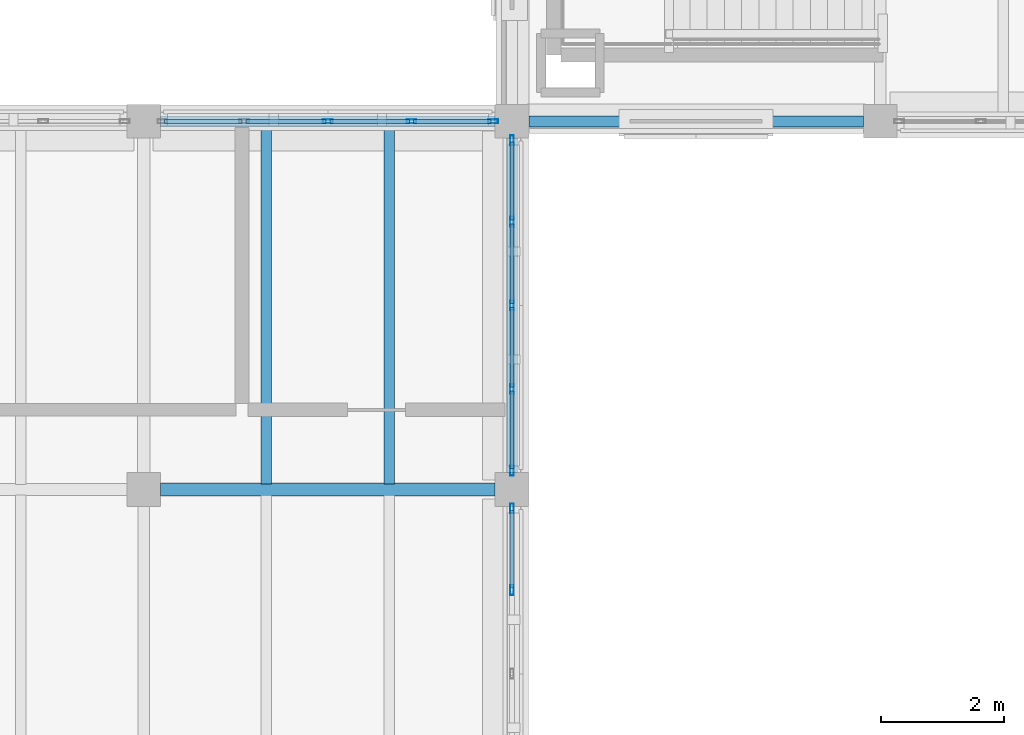
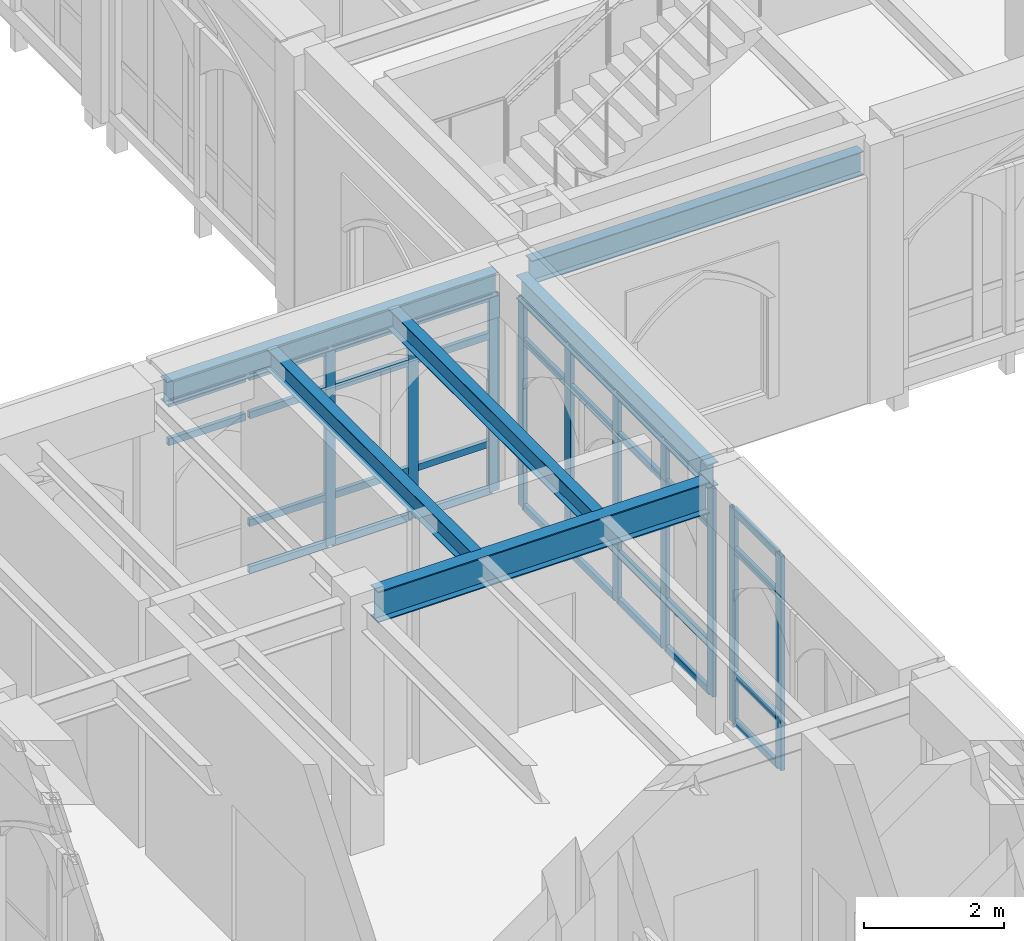
# One storey, part 14 of 108: 44 members, 6 beams, 3 elements without a shape of their own.
"""IFC4 building model written with IfcOpenShell, lengths in metres."""

from ifc_helpers import new_model, si_unit, direction, frame, origin, origin_2d, place, context, subcontext, project, spatial, hollow_rectangle, i_section, extrude, material, layer, layer_set, material_profile, profile_set, type_object, element, aggregate, save


model = new_model("IFC4")

# Units and contexts
model_context = context("Model", 3, precision=1e-05, world=origin(), true_north=direction((0.0, 1.0)))
body_context = subcontext(model_context, "Body", "Model", "MODEL_VIEW")
ifc_project = project(units=[si_unit("LENGTHUNIT", "METRE"), si_unit("AREAUNIT", "SQUARE_METRE"), si_unit("VOLUMEUNIT", "CUBIC_METRE"), si_unit("PLANEANGLEUNIT", "RADIAN"), si_unit("MASSUNIT", "GRAM", prefix="KILO")], contexts=[model_context])

# Site, building, storey
site_placement = place(None, origin())
site = spatial("IfcSite", under=ifc_project, at=site_placement, CompositionType="ELEMENT")
building_placement = place(site_placement, origin())
building = spatial("IfcBuilding", under=site, at=building_placement, Name="Cumevento Cable Car Station", CompositionType="ELEMENT")
storey_placement = place(building_placement, frame((0.0, 0.0, 13.5)))
storey = spatial("IfcBuildingStorey", under=building, at=storey_placement, Name="L04", CompositionType="ELEMENT", Elevation=13.5)

# Curtain wall, members
ifc_material_1 = material(Name="Anodised Bronze Aluminium AW-6063-T6", Category="aluminium")
ifc_layer_1 = layer(ifc_material_1, 0.196044921875)
ifc_layer_set_1 = layer_set([ifc_layer_1], Name="Anodised Bronze Aluminium AW-6063-T6")
curtain_wall_type_1 = type_object("IfcCurtainWallType", Name="Lancet Curtain Wall CW-07 1290", PredefinedType="NOTDEFINED", material=ifc_layer_set_1)
curtain_wall_1_placement = place(storey_placement, origin())
curtain_wall_1 = element("IfcCurtainWall", 1, at=curtain_wall_1_placement, inside=storey, type_object=curtain_wall_type_1, Name="Lancet Curtain Wall CW-07 L04 #150", PredefinedType="NOTDEFINED")
ifc_material_2 = material(Name="Anodised Bronze Aluminium AW-6063-T6", Category="aluminium")
ifc_material_profile_1 = material_profile(ifc_material_2, hollow_rectangle(XDim=0.06494140625, YDim=0.159912109375, WallThickness=0.00390625, at=origin_2d()), Name="ALUM65x160x4")
ifc_profile_set_1 = profile_set([ifc_material_profile_1], Name="Anodised Bronze Aluminium AW-6063-T6")
member_type_1 = type_object("IfcMemberType", Name="Curtain Mullion CWM-01 ALUM65x160x4", PredefinedType="MULLION", material=ifc_profile_set_1)
member_1_placement = place(storey_placement, frame((19.0, 45.0, 0.4599609375), z_axis=(0.0, 0.0, 1.0), x_axis=(0.0, 1.0, 0.0)))
member_1 = element("IfcMember", 2, at=member_1_placement, type_object=member_type_1, Name="CW-07 mullion 3", PredefinedType="MULLION", context=body_context, shape_type="SweptSolid", body=[
    extrude(hollow_rectangle(XDim=0.06494140625, YDim=0.159912109375, WallThickness=0.00390625, at=origin_2d()), origin(), (0.0, 0.0, 1.0), 3.421142578125),
])
member_2_placement = place(storey_placement, frame((20.362548828125, 45.0, 0.4599609375), z_axis=(0.0, 0.0, 1.0), x_axis=(0.0, 1.0, 0.0)))
member_2 = element("IfcMember", 3, at=member_2_placement, type_object=member_type_1, Name="CW-07 mullion 4", PredefinedType="MULLION", context=body_context, shape_type="SweptSolid", body=[
    extrude(hollow_rectangle(XDim=0.06494140625, YDim=0.159912109375, WallThickness=0.00390625, at=origin_2d()), origin(), (0.0, 0.0, 1.0), 3.421142578125),
])
member_3_placement = place(storey_placement, frame((21.6923828125, 45.0, 0.4599609375), z_axis=(0.0, 0.0, 1.0), x_axis=(0.0, 1.0, 0.0)))
member_3 = element("IfcMember", 4, at=member_3_placement, type_object=member_type_1, Name="CW-07 mullion 5", PredefinedType="MULLION", context=body_context, shape_type="SweptSolid", body=[
    extrude(hollow_rectangle(XDim=0.06494140625, YDim=0.159912109375, WallThickness=0.00390625, at=origin_2d()), origin(), (0.0, 0.0, 1.0), 3.421142578125),
])

ifc_material_3 = material(Name="Anodised Bronze Aluminium AW-6063-T6", Category="aluminium")
ifc_layer_2 = layer(ifc_material_3, 0.2080078125)
ifc_layer_set_2 = layer_set([ifc_layer_2], Name="Anodised Bronze Aluminium AW-6063-T6")
curtain_wall_type_2 = type_object("IfcCurtainWallType", Name="Lancet Curtain Wall CW-09 1370", PredefinedType="NOTDEFINED", material=ifc_layer_set_2)
curtain_wall_2_placement = place(storey_placement, origin())
curtain_wall_2 = element("IfcCurtainWall", 5, at=curtain_wall_2_placement, inside=storey, type_object=curtain_wall_type_2, Name="Lancet Curtain Wall CW-09 L04 #152", PredefinedType="NOTDEFINED")
member_4_placement = place(storey_placement, frame((22.0, 38.6923828125, 0.159912109375), z_axis=(0.0, 0.0, 1.0), x_axis=(1.0, 0.0, 0.0)))
member_4 = element("IfcMember", 6, at=member_4_placement, type_object=member_type_1, Name="CW-09 mullion 1", PredefinedType="MULLION", context=body_context, shape_type="SweptSolid", body=[
    extrude(hollow_rectangle(XDim=0.06494140625, YDim=0.159912109375, WallThickness=0.00390625, at=origin_2d()), origin(), (0.0, 0.0, 1.0), 3.72119140625),
])
member_5_placement = place(storey_placement, frame((22.0, 37.362548828125, 0.159912109375), z_axis=(0.0, 0.0, 1.0), x_axis=(1.0, 0.0, 0.0)))
member_5 = element("IfcMember", 7, at=member_5_placement, type_object=member_type_1, Name="CW-09 mullion 2", PredefinedType="MULLION", context=body_context, shape_type="SweptSolid", body=[
    extrude(hollow_rectangle(XDim=0.06494140625, YDim=0.159912109375, WallThickness=0.00390625, at=origin_2d()), origin(), (0.0, 0.0, 1.0), 3.72119140625),
])

ifc_material_4 = material(Name="Anodised Bronze Aluminium AW-6063-T6", Category="aluminium")
ifc_layer_3 = layer(ifc_material_4, 0.219970703125)
ifc_layer_set_3 = layer_set([ifc_layer_3], Name="Anodised Bronze Aluminium AW-6063-T6")
curtain_wall_type_3 = type_object("IfcCurtainWallType", Name="Lancet Curtain Wall CW-11 1450", PredefinedType="NOTDEFINED", material=ifc_layer_set_3)
curtain_wall_3_placement = place(storey_placement, origin())
curtain_wall_3 = element("IfcCurtainWall", 8, at=curtain_wall_3_placement, inside=storey, type_object=curtain_wall_type_3, Name="Lancet Curtain Wall CW-11 L04 #154", PredefinedType="NOTDEFINED")
member_6_placement = place(storey_placement, frame((22.0, 44.6923828125, 0.260009765625), z_axis=(0.0, 0.0, 1.0), x_axis=(1.0, 0.0, 0.0)))
member_6 = element("IfcMember", 9, at=member_6_placement, type_object=member_type_1, Name="CW-11 mullion 1", PredefinedType="MULLION", context=body_context, shape_type="SweptSolid", body=[
    extrude(hollow_rectangle(XDim=0.06494140625, YDim=0.159912109375, WallThickness=0.00390625, at=origin_2d()), origin(), (0.0, 0.0, 1.0), 3.62109375),
])
member_7_placement = place(storey_placement, frame((22.0, 43.362548828125, 0.260009765625), z_axis=(0.0, 0.0, 1.0), x_axis=(1.0, 0.0, 0.0)))
member_7 = element("IfcMember", 10, at=member_7_placement, type_object=member_type_1, Name="CW-11 mullion 2", PredefinedType="MULLION", context=body_context, shape_type="SweptSolid", body=[
    extrude(hollow_rectangle(XDim=0.06494140625, YDim=0.159912109375, WallThickness=0.00390625, at=origin_2d()), origin(), (0.0, 0.0, 1.0), 3.62109375),
])
member_8_placement = place(storey_placement, frame((22.0, 42.0, 0.260009765625), z_axis=(0.0, 0.0, 1.0), x_axis=(1.0, 0.0, 0.0)))
member_8 = element("IfcMember", 11, at=member_8_placement, type_object=member_type_1, Name="CW-11 mullion 3", PredefinedType="MULLION", context=body_context, shape_type="SweptSolid", body=[
    extrude(hollow_rectangle(XDim=0.06494140625, YDim=0.159912109375, WallThickness=0.00390625, at=origin_2d()), origin(), (0.0, 0.0, 1.0), 3.62109375),
])
member_9_placement = place(storey_placement, frame((22.0, 40.637451171875, 0.260009765625), z_axis=(0.0, 0.0, 1.0), x_axis=(1.0, 0.0, 0.0)))
member_9 = element("IfcMember", 12, at=member_9_placement, type_object=member_type_1, Name="CW-11 mullion 4", PredefinedType="MULLION", context=body_context, shape_type="SweptSolid", body=[
    extrude(hollow_rectangle(XDim=0.06494140625, YDim=0.159912109375, WallThickness=0.00390625, at=origin_2d()), origin(), (0.0, 0.0, 1.0), 3.62109375),
])
member_10_placement = place(storey_placement, frame((22.0, 39.3076171875, 0.260009765625), z_axis=(0.0, 0.0, 1.0), x_axis=(1.0, 0.0, 0.0)))
member_10 = element("IfcMember", 13, at=member_10_placement, type_object=member_type_1, Name="CW-11 mullion 5", PredefinedType="MULLION", context=body_context, shape_type="SweptSolid", body=[
    extrude(hollow_rectangle(XDim=0.06494140625, YDim=0.159912109375, WallThickness=0.00390625, at=origin_2d()), origin(), (0.0, 0.0, 1.0), 3.62109375),
])

# Member
ifc_material_5 = material(Name="Anodised Bronze Aluminium AW-6063-T6", Category="aluminium")
ifc_material_profile_2 = material_profile(ifc_material_5, hollow_rectangle(XDim=0.06494140625, YDim=0.1201171875, WallThickness=0.00390625, at=origin_2d()), Name="ALUT65x120x4")
ifc_profile_set_2 = profile_set([ifc_material_profile_2], Name="Anodised Bronze Aluminium AW-6063-T6")
member_type_2 = type_object("IfcMemberType", Name="Curtain Transom CWT-01 ALUT65x120x4", PredefinedType="USERDEFINED", material=ifc_profile_set_2)
member_11_placement = place(storey_placement, frame((16.340087890625, 45.0, 3.180908203125), z_axis=(1.0, 0.0, 0.0), x_axis=(0.0, 1.0, 0.0)))
member_11 = element("IfcMember", 14, at=member_11_placement, type_object=member_type_2, Name="CW-07 transom 1.3", ObjectType="TRANSOM", PredefinedType="USERDEFINED", context=body_context, shape_type="SweptSolid", body=[
    extrude(hollow_rectangle(XDim=0.06494140625, YDim=0.1201171875, WallThickness=0.00390625, at=origin_2d()), origin(), (0.0, 0.0, 1.0), 1.264892578125),
])

member_12_placement = place(storey_placement, frame((16.340087890625, 45.0, 3.848388671875), z_axis=(1.0, 0.0, 0.0), x_axis=(0.0, 1.0, 0.0)))
member_12 = element("IfcMember", 15, at=member_12_placement, type_object=member_type_2, Name="CW-07 transom 1.4", ObjectType="TRANSOM", PredefinedType="USERDEFINED", context=body_context, shape_type="SweptSolid", body=[
    extrude(hollow_rectangle(XDim=0.06494140625, YDim=0.1201171875, WallThickness=0.00390625, at=origin_2d()), origin(), (0.0, 0.0, 1.0), 1.264892578125),
])

member_13_placement = place(storey_placement, frame((17.669921875, 45.0, 0.492431640625), z_axis=(1.0, 0.0, 0.0), x_axis=(0.0, 1.0, 0.0)))
member_13 = element("IfcMember", 16, at=member_13_placement, type_object=member_type_2, Name="CW-07 transom 2.1", ObjectType="TRANSOM", PredefinedType="USERDEFINED", context=body_context, shape_type="SweptSolid", body=[
    extrude(hollow_rectangle(XDim=0.06494140625, YDim=0.1201171875, WallThickness=0.00390625, at=origin_2d()), origin(), (0.0, 0.0, 1.0), 1.297607421875),
])

member_14_placement = place(storey_placement, frame((17.669921875, 45.0, 1.31005859375), z_axis=(1.0, 0.0, 0.0), x_axis=(0.0, 1.0, 0.0)))
member_14 = element("IfcMember", 17, at=member_14_placement, type_object=member_type_2, Name="CW-07 transom 2.2", ObjectType="TRANSOM", PredefinedType="USERDEFINED", context=body_context, shape_type="SweptSolid", body=[
    extrude(hollow_rectangle(XDim=0.06494140625, YDim=0.1201171875, WallThickness=0.00390625, at=origin_2d()), origin(), (0.0, 0.0, 1.0), 1.297607421875),
])

member_15_placement = place(storey_placement, frame((17.669921875, 45.0, 3.180908203125), z_axis=(1.0, 0.0, 0.0), x_axis=(0.0, 1.0, 0.0)))
member_15 = element("IfcMember", 18, at=member_15_placement, type_object=member_type_2, Name="CW-07 transom 2.3", ObjectType="TRANSOM", PredefinedType="USERDEFINED", context=body_context, shape_type="SweptSolid", body=[
    extrude(hollow_rectangle(XDim=0.06494140625, YDim=0.1201171875, WallThickness=0.00390625, at=origin_2d()), origin(), (0.0, 0.0, 1.0), 1.297607421875),
])

member_16_placement = place(storey_placement, frame((17.669921875, 45.0, 3.848388671875), z_axis=(1.0, 0.0, 0.0), x_axis=(0.0, 1.0, 0.0)))
member_16 = element("IfcMember", 19, at=member_16_placement, type_object=member_type_2, Name="CW-07 transom 2.4", ObjectType="TRANSOM", PredefinedType="USERDEFINED", context=body_context, shape_type="SweptSolid", body=[
    extrude(hollow_rectangle(XDim=0.06494140625, YDim=0.1201171875, WallThickness=0.00390625, at=origin_2d()), origin(), (0.0, 0.0, 1.0), 1.297607421875),
])

member_17_placement = place(storey_placement, frame((19.032470703125, 45.0, 0.492431640625), z_axis=(1.0, 0.0, 0.0), x_axis=(0.0, 1.0, 0.0)))
member_17 = element("IfcMember", 20, at=member_17_placement, type_object=member_type_2, Name="CW-07 transom 3.1", ObjectType="TRANSOM", PredefinedType="USERDEFINED", context=body_context, shape_type="SweptSolid", body=[
    extrude(hollow_rectangle(XDim=0.06494140625, YDim=0.1201171875, WallThickness=0.00390625, at=origin_2d()), origin(), (0.0, 0.0, 1.0), 1.297607421875),
])

member_18_placement = place(storey_placement, frame((19.032470703125, 45.0, 1.31005859375), z_axis=(1.0, 0.0, 0.0), x_axis=(0.0, 1.0, 0.0)))
member_18 = element("IfcMember", 21, at=member_18_placement, type_object=member_type_2, Name="CW-07 transom 3.2", ObjectType="TRANSOM", PredefinedType="USERDEFINED", context=body_context, shape_type="SweptSolid", body=[
    extrude(hollow_rectangle(XDim=0.06494140625, YDim=0.1201171875, WallThickness=0.00390625, at=origin_2d()), origin(), (0.0, 0.0, 1.0), 1.297607421875),
])

member_19_placement = place(storey_placement, frame((19.032470703125, 45.0, 3.180908203125), z_axis=(1.0, 0.0, 0.0), x_axis=(0.0, 1.0, 0.0)))
member_19 = element("IfcMember", 22, at=member_19_placement, type_object=member_type_2, Name="CW-07 transom 3.3", ObjectType="TRANSOM", PredefinedType="USERDEFINED", context=body_context, shape_type="SweptSolid", body=[
    extrude(hollow_rectangle(XDim=0.06494140625, YDim=0.1201171875, WallThickness=0.00390625, at=origin_2d()), origin(), (0.0, 0.0, 1.0), 1.297607421875),
])

member_20_placement = place(storey_placement, frame((19.032470703125, 45.0, 3.848388671875), z_axis=(1.0, 0.0, 0.0), x_axis=(0.0, 1.0, 0.0)))
member_20 = element("IfcMember", 23, at=member_20_placement, type_object=member_type_2, Name="CW-07 transom 3.4", ObjectType="TRANSOM", PredefinedType="USERDEFINED", context=body_context, shape_type="SweptSolid", body=[
    extrude(hollow_rectangle(XDim=0.06494140625, YDim=0.1201171875, WallThickness=0.00390625, at=origin_2d()), origin(), (0.0, 0.0, 1.0), 1.297607421875),
])

member_21_placement = place(storey_placement, frame((20.39501953125, 45.0, 0.492431640625), z_axis=(1.0, 0.0, 0.0), x_axis=(0.0, 1.0, 0.0)))
member_21 = element("IfcMember", 24, at=member_21_placement, type_object=member_type_2, Name="CW-07 transom 4.1", ObjectType="TRANSOM", PredefinedType="USERDEFINED", context=body_context, shape_type="SweptSolid", body=[
    extrude(hollow_rectangle(XDim=0.06494140625, YDim=0.1201171875, WallThickness=0.00390625, at=origin_2d()), origin(), (0.0, 0.0, 1.0), 1.264892578125),
])

member_22_placement = place(storey_placement, frame((20.39501953125, 45.0, 1.31005859375), z_axis=(1.0, 0.0, 0.0), x_axis=(0.0, 1.0, 0.0)))
member_22 = element("IfcMember", 25, at=member_22_placement, type_object=member_type_2, Name="CW-07 transom 4.2", ObjectType="TRANSOM", PredefinedType="USERDEFINED", context=body_context, shape_type="SweptSolid", body=[
    extrude(hollow_rectangle(XDim=0.06494140625, YDim=0.1201171875, WallThickness=0.00390625, at=origin_2d()), origin(), (0.0, 0.0, 1.0), 1.264892578125),
])

member_23_placement = place(storey_placement, frame((20.39501953125, 45.0, 3.180908203125), z_axis=(1.0, 0.0, 0.0), x_axis=(0.0, 1.0, 0.0)))
member_23 = element("IfcMember", 26, at=member_23_placement, type_object=member_type_2, Name="CW-07 transom 4.3", ObjectType="TRANSOM", PredefinedType="USERDEFINED", context=body_context, shape_type="SweptSolid", body=[
    extrude(hollow_rectangle(XDim=0.06494140625, YDim=0.1201171875, WallThickness=0.00390625, at=origin_2d()), origin(), (0.0, 0.0, 1.0), 1.264892578125),
])

member_24_placement = place(storey_placement, frame((20.39501953125, 45.0, 3.848388671875), z_axis=(1.0, 0.0, 0.0), x_axis=(0.0, 1.0, 0.0)))
member_24 = element("IfcMember", 27, at=member_24_placement, type_object=member_type_2, Name="CW-07 transom 4.4", ObjectType="TRANSOM", PredefinedType="USERDEFINED", context=body_context, shape_type="SweptSolid", body=[
    extrude(hollow_rectangle(XDim=0.06494140625, YDim=0.1201171875, WallThickness=0.00390625, at=origin_2d()), origin(), (0.0, 0.0, 1.0), 1.264892578125),
])

aggregate(curtain_wall_1, [member_1, member_2, member_3, member_11, member_12, member_13, member_14, member_15, member_16, member_17, member_18, member_19, member_20, member_21, member_22, member_23, member_24])

member_25_placement = place(storey_placement, frame((22.0, 38.659912109375, 0.1923828125), z_axis=(0.0, -1.0, 0.0), x_axis=(1.0, 0.0, 0.0)))
member_25 = element("IfcMember", 28, at=member_25_placement, type_object=member_type_2, Name="CW-09 transom 1.1", ObjectType="TRANSOM", PredefinedType="USERDEFINED", context=body_context, shape_type="SweptSolid", body=[
    extrude(hollow_rectangle(XDim=0.06494140625, YDim=0.1201171875, WallThickness=0.00390625, at=origin_2d()), origin(), (0.0, 0.0, 1.0), 1.264892578125),
])

member_26_placement = place(storey_placement, frame((22.0, 38.659912109375, 1.010009765625), z_axis=(0.0, -1.0, 0.0), x_axis=(1.0, 0.0, 0.0)))
member_26 = element("IfcMember", 29, at=member_26_placement, type_object=member_type_2, Name="CW-09 transom 1.2", ObjectType="TRANSOM", PredefinedType="USERDEFINED", context=body_context, shape_type="SweptSolid", body=[
    extrude(hollow_rectangle(XDim=0.06494140625, YDim=0.1201171875, WallThickness=0.00390625, at=origin_2d()), origin(), (0.0, 0.0, 1.0), 1.264892578125),
])

member_27_placement = place(storey_placement, frame((22.0, 38.659912109375, 3.180908203125), z_axis=(0.0, -1.0, 0.0), x_axis=(1.0, 0.0, 0.0)))
member_27 = element("IfcMember", 30, at=member_27_placement, type_object=member_type_2, Name="CW-09 transom 1.3", ObjectType="TRANSOM", PredefinedType="USERDEFINED", context=body_context, shape_type="SweptSolid", body=[
    extrude(hollow_rectangle(XDim=0.06494140625, YDim=0.1201171875, WallThickness=0.00390625, at=origin_2d()), origin(), (0.0, 0.0, 1.0), 1.264892578125),
])

member_28_placement = place(storey_placement, frame((22.0, 38.659912109375, 3.848388671875), z_axis=(0.0, -1.0, 0.0), x_axis=(1.0, 0.0, 0.0)))
member_28 = element("IfcMember", 31, at=member_28_placement, type_object=member_type_2, Name="CW-09 transom 1.4", ObjectType="TRANSOM", PredefinedType="USERDEFINED", context=body_context, shape_type="SweptSolid", body=[
    extrude(hollow_rectangle(XDim=0.06494140625, YDim=0.1201171875, WallThickness=0.00390625, at=origin_2d()), origin(), (0.0, 0.0, 1.0), 1.264892578125),
])

aggregate(curtain_wall_2, [member_4, member_5, member_25, member_26, member_27, member_28])

member_29_placement = place(storey_placement, frame((22.0, 44.659912109375, 0.29248046875), z_axis=(0.0, -1.0, 0.0), x_axis=(1.0, 0.0, 0.0)))
member_29 = element("IfcMember", 32, at=member_29_placement, type_object=member_type_2, Name="CW-11 transom 1.1", ObjectType="TRANSOM", PredefinedType="USERDEFINED", context=body_context, shape_type="SweptSolid", body=[
    extrude(hollow_rectangle(XDim=0.06494140625, YDim=0.1201171875, WallThickness=0.00390625, at=origin_2d()), origin(), (0.0, 0.0, 1.0), 1.264892578125),
])

member_30_placement = place(storey_placement, frame((22.0, 44.659912109375, 1.110107421875), z_axis=(0.0, -1.0, 0.0), x_axis=(1.0, 0.0, 0.0)))
member_30 = element("IfcMember", 33, at=member_30_placement, type_object=member_type_2, Name="CW-11 transom 1.2", ObjectType="TRANSOM", PredefinedType="USERDEFINED", context=body_context, shape_type="SweptSolid", body=[
    extrude(hollow_rectangle(XDim=0.06494140625, YDim=0.1201171875, WallThickness=0.00390625, at=origin_2d()), origin(), (0.0, 0.0, 1.0), 1.264892578125),
])

member_31_placement = place(storey_placement, frame((22.0, 44.659912109375, 3.180908203125), z_axis=(0.0, -1.0, 0.0), x_axis=(1.0, 0.0, 0.0)))
member_31 = element("IfcMember", 34, at=member_31_placement, type_object=member_type_2, Name="CW-11 transom 1.3", ObjectType="TRANSOM", PredefinedType="USERDEFINED", context=body_context, shape_type="SweptSolid", body=[
    extrude(hollow_rectangle(XDim=0.06494140625, YDim=0.1201171875, WallThickness=0.00390625, at=origin_2d()), origin(), (0.0, 0.0, 1.0), 1.264892578125),
])

member_32_placement = place(storey_placement, frame((22.0, 44.659912109375, 3.848388671875), z_axis=(0.0, -1.0, 0.0), x_axis=(1.0, 0.0, 0.0)))
member_32 = element("IfcMember", 35, at=member_32_placement, type_object=member_type_2, Name="CW-11 transom 1.4", ObjectType="TRANSOM", PredefinedType="USERDEFINED", context=body_context, shape_type="SweptSolid", body=[
    extrude(hollow_rectangle(XDim=0.06494140625, YDim=0.1201171875, WallThickness=0.00390625, at=origin_2d()), origin(), (0.0, 0.0, 1.0), 1.264892578125),
])

member_33_placement = place(storey_placement, frame((22.0, 43.330078125, 0.29248046875), z_axis=(0.0, -1.0, 0.0), x_axis=(1.0, 0.0, 0.0)))
member_33 = element("IfcMember", 36, at=member_33_placement, type_object=member_type_2, Name="CW-11 transom 2.1", ObjectType="TRANSOM", PredefinedType="USERDEFINED", context=body_context, shape_type="SweptSolid", body=[
    extrude(hollow_rectangle(XDim=0.06494140625, YDim=0.1201171875, WallThickness=0.00390625, at=origin_2d()), origin(), (0.0, 0.0, 1.0), 1.297607421875),
])

member_34_placement = place(storey_placement, frame((22.0, 43.330078125, 1.110107421875), z_axis=(0.0, -1.0, 0.0), x_axis=(1.0, 0.0, 0.0)))
member_34 = element("IfcMember", 37, at=member_34_placement, type_object=member_type_2, Name="CW-11 transom 2.2", ObjectType="TRANSOM", PredefinedType="USERDEFINED", context=body_context, shape_type="SweptSolid", body=[
    extrude(hollow_rectangle(XDim=0.06494140625, YDim=0.1201171875, WallThickness=0.00390625, at=origin_2d()), origin(), (0.0, 0.0, 1.0), 1.297607421875),
])

member_35_placement = place(storey_placement, frame((22.0, 43.330078125, 3.180908203125), z_axis=(0.0, -1.0, 0.0), x_axis=(1.0, 0.0, 0.0)))
member_35 = element("IfcMember", 38, at=member_35_placement, type_object=member_type_2, Name="CW-11 transom 2.3", ObjectType="TRANSOM", PredefinedType="USERDEFINED", context=body_context, shape_type="SweptSolid", body=[
    extrude(hollow_rectangle(XDim=0.06494140625, YDim=0.1201171875, WallThickness=0.00390625, at=origin_2d()), origin(), (0.0, 0.0, 1.0), 1.297607421875),
])

member_36_placement = place(storey_placement, frame((22.0, 43.330078125, 3.848388671875), z_axis=(0.0, -1.0, 0.0), x_axis=(1.0, 0.0, 0.0)))
member_36 = element("IfcMember", 39, at=member_36_placement, type_object=member_type_2, Name="CW-11 transom 2.4", ObjectType="TRANSOM", PredefinedType="USERDEFINED", context=body_context, shape_type="SweptSolid", body=[
    extrude(hollow_rectangle(XDim=0.06494140625, YDim=0.1201171875, WallThickness=0.00390625, at=origin_2d()), origin(), (0.0, 0.0, 1.0), 1.297607421875),
])

member_37_placement = place(storey_placement, frame((22.0, 41.967529296875, 0.29248046875), z_axis=(0.0, -1.0, 0.0), x_axis=(1.0, 0.0, 0.0)))
member_37 = element("IfcMember", 40, at=member_37_placement, type_object=member_type_2, Name="CW-11 transom 3.1", ObjectType="TRANSOM", PredefinedType="USERDEFINED", context=body_context, shape_type="SweptSolid", body=[
    extrude(hollow_rectangle(XDim=0.06494140625, YDim=0.1201171875, WallThickness=0.00390625, at=origin_2d()), origin(), (0.0, 0.0, 1.0), 1.297607421875),
])

member_38_placement = place(storey_placement, frame((22.0, 41.967529296875, 1.110107421875), z_axis=(0.0, -1.0, 0.0), x_axis=(1.0, 0.0, 0.0)))
member_38 = element("IfcMember", 41, at=member_38_placement, type_object=member_type_2, Name="CW-11 transom 3.2", ObjectType="TRANSOM", PredefinedType="USERDEFINED", context=body_context, shape_type="SweptSolid", body=[
    extrude(hollow_rectangle(XDim=0.06494140625, YDim=0.1201171875, WallThickness=0.00390625, at=origin_2d()), origin(), (0.0, 0.0, 1.0), 1.297607421875),
])

member_39_placement = place(storey_placement, frame((22.0, 41.967529296875, 3.180908203125), z_axis=(0.0, -1.0, 0.0), x_axis=(1.0, 0.0, 0.0)))
member_39 = element("IfcMember", 42, at=member_39_placement, type_object=member_type_2, Name="CW-11 transom 3.3", ObjectType="TRANSOM", PredefinedType="USERDEFINED", context=body_context, shape_type="SweptSolid", body=[
    extrude(hollow_rectangle(XDim=0.06494140625, YDim=0.1201171875, WallThickness=0.00390625, at=origin_2d()), origin(), (0.0, 0.0, 1.0), 1.297607421875),
])

member_40_placement = place(storey_placement, frame((22.0, 41.967529296875, 3.848388671875), z_axis=(0.0, -1.0, 0.0), x_axis=(1.0, 0.0, 0.0)))
member_40 = element("IfcMember", 43, at=member_40_placement, type_object=member_type_2, Name="CW-11 transom 3.4", ObjectType="TRANSOM", PredefinedType="USERDEFINED", context=body_context, shape_type="SweptSolid", body=[
    extrude(hollow_rectangle(XDim=0.06494140625, YDim=0.1201171875, WallThickness=0.00390625, at=origin_2d()), origin(), (0.0, 0.0, 1.0), 1.297607421875),
])

member_41_placement = place(storey_placement, frame((22.0, 40.60498046875, 0.29248046875), z_axis=(0.0, -1.0, 0.0), x_axis=(1.0, 0.0, 0.0)))
member_41 = element("IfcMember", 44, at=member_41_placement, type_object=member_type_2, Name="CW-11 transom 4.1", ObjectType="TRANSOM", PredefinedType="USERDEFINED", context=body_context, shape_type="SweptSolid", body=[
    extrude(hollow_rectangle(XDim=0.06494140625, YDim=0.1201171875, WallThickness=0.00390625, at=origin_2d()), origin(), (0.0, 0.0, 1.0), 1.264892578125),
])

member_42_placement = place(storey_placement, frame((22.0, 40.60498046875, 1.110107421875), z_axis=(0.0, -1.0, 0.0), x_axis=(1.0, 0.0, 0.0)))
member_42 = element("IfcMember", 45, at=member_42_placement, type_object=member_type_2, Name="CW-11 transom 4.2", ObjectType="TRANSOM", PredefinedType="USERDEFINED", context=body_context, shape_type="SweptSolid", body=[
    extrude(hollow_rectangle(XDim=0.06494140625, YDim=0.1201171875, WallThickness=0.00390625, at=origin_2d()), origin(), (0.0, 0.0, 1.0), 1.264892578125),
])

member_43_placement = place(storey_placement, frame((22.0, 40.60498046875, 3.180908203125), z_axis=(0.0, -1.0, 0.0), x_axis=(1.0, 0.0, 0.0)))
member_43 = element("IfcMember", 46, at=member_43_placement, type_object=member_type_2, Name="CW-11 transom 4.3", ObjectType="TRANSOM", PredefinedType="USERDEFINED", context=body_context, shape_type="SweptSolid", body=[
    extrude(hollow_rectangle(XDim=0.06494140625, YDim=0.1201171875, WallThickness=0.00390625, at=origin_2d()), origin(), (0.0, 0.0, 1.0), 1.264892578125),
])

member_44_placement = place(storey_placement, frame((22.0, 40.60498046875, 3.848388671875), z_axis=(0.0, -1.0, 0.0), x_axis=(1.0, 0.0, 0.0)))
member_44 = element("IfcMember", 47, at=member_44_placement, type_object=member_type_2, Name="CW-11 transom 4.4", ObjectType="TRANSOM", PredefinedType="USERDEFINED", context=body_context, shape_type="SweptSolid", body=[
    extrude(hollow_rectangle(XDim=0.06494140625, YDim=0.1201171875, WallThickness=0.00390625, at=origin_2d()), origin(), (0.0, 0.0, 1.0), 1.264892578125),
])

aggregate(curtain_wall_3, [member_6, member_7, member_8, member_9, member_10, member_29, member_30, member_31, member_32, member_33, member_34, member_35, member_36, member_37, member_38, member_39, member_40, member_41, member_42, member_43, member_44])

# Beams
ifc_material_6 = material(Name="Steel ASTM A572 Grade 50", Category="steel")
ifc_material_profile_3 = material_profile(ifc_material_6, i_section(OverallWidth=0.2109375, OverallDepth=0.5390625, WebThickness=0.01171875, FlangeThickness=0.018798828125, at=origin_2d()), Name="W530x109.0")
ifc_profile_set_3 = profile_set([ifc_material_profile_3], Name="Steel ASTM A572 Grade 50")
beam_type_1 = type_object("IfcBeamType", Name="Structural Beam BM-11 W530x109.0", PredefinedType="BEAM", material=ifc_profile_set_3)
beam_placement = place(storey_placement, frame((16.27490234375, 39.0, 4.0185546875), z_axis=(1.0, 0.0, 0.0), x_axis=(0.0, 1.0, 0.0)))
element("IfcBeam", 48, at=beam_placement, inside=storey, type_object=beam_type_1, Name="Beam BM-11 L04 #1368", PredefinedType="BEAM", context=body_context, shape_type="SweptSolid", body=[
    extrude(i_section(OverallWidth=0.2109375, OverallDepth=0.5390625, WebThickness=0.01171875, FlangeThickness=0.018798828125, at=origin_2d()), origin(), (0.0, 0.0, 1.0), 5.4501953125),
])
ifc_material_7 = material(Name="Steel ASTM A572 Grade 50", Category="steel")
ifc_material_profile_4 = material_profile(ifc_material_7, i_section(OverallWidth=0.1708984375, OverallDepth=0.35498046875, WebThickness=0.007080078125, FlangeThickness=0.01171875, at=origin_2d()), Name="W360x51.0")
ifc_profile_set_4 = profile_set([ifc_material_profile_4], Name="Steel ASTM A572 Grade 50")
beam_type_2 = type_object("IfcBeamType", Name="Structural Joist JS-01 W360x51.0", PredefinedType="JOIST", material=ifc_profile_set_4)
for number, where, z_axis, x_axis, name in (
    (49, (18.0, 39.093505859375, 4.110595703125), (0.0, 1.0, 0.0), (-1.0, 0.0, 0.0), "Composite Floor Joist JS-01 L04 #1510"),
    (50, (20.0, 39.093505859375, 4.110595703125), (0.0, 1.0, 0.0), (-1.0, 0.0, 0.0), "Composite Floor Joist JS-01 L04 #1512"),
):
    element("IfcBeam", number, at=place(storey_placement, frame(where, z_axis=z_axis, x_axis=x_axis)), inside=storey, type_object=beam_type_2, Name=name, PredefinedType="JOIST", context=body_context, shape_type="SweptSolid", body=[
        extrude(i_section(OverallWidth=0.1708984375, OverallDepth=0.35498046875, WebThickness=0.007080078125, FlangeThickness=0.01171875, at=origin_2d()), origin(), (0.0, 0.0, 1.0), 5.82958984375),
    ])
ifc_material_8 = material(Name="Steel ASTM A572 Grade 50", Category="steel")
ifc_material_profile_5 = material_profile(ifc_material_8, i_section(OverallWidth=0.177978515625, OverallDepth=0.406982421875, WebThickness=0.0078125, FlangeThickness=0.0126953125, at=origin_2d()), Name="W410x60.0")
ifc_profile_set_5 = profile_set([ifc_material_profile_5], Name="Steel ASTM A572 Grade 50")
beam_type_3 = type_object("IfcBeamType", Name="Structural Spandrel SP-01 W410x60.0", PredefinedType="SPANDREL", material=ifc_profile_set_5)
for number, where, z_axis, x_axis, name in (
    (51, (16.27490234375, 45.0, 4.08447265625), (1.0, 0.0, 0.0), (0.0, 1.0, 0.0), "Beam SP-01 L04 #1370"),
    (52, (22.0, 39.27490234375, 4.08447265625), (0.0, 1.0, 0.0), (-1.0, 0.0, 0.0), "Beam SP-01 L04 #1376"),
    (53, (22.27490234375, 45.0, 4.08447265625), (1.0, 0.0, 0.0), (0.0, 1.0, 0.0), "Beam SP-01 L04 #1377"),
):
    element("IfcBeam", number, at=place(storey_placement, frame(where, z_axis=z_axis, x_axis=x_axis)), inside=storey, type_object=beam_type_3, Name=name, PredefinedType="SPANDREL", context=body_context, shape_type="SweptSolid", body=[
        extrude(i_section(OverallWidth=0.177978515625, OverallDepth=0.406982421875, WebThickness=0.0078125, FlangeThickness=0.0126953125, at=origin_2d()), origin(), (0.0, 0.0, 1.0), 5.4501953125),
    ])

save(model, "model.ifc")
